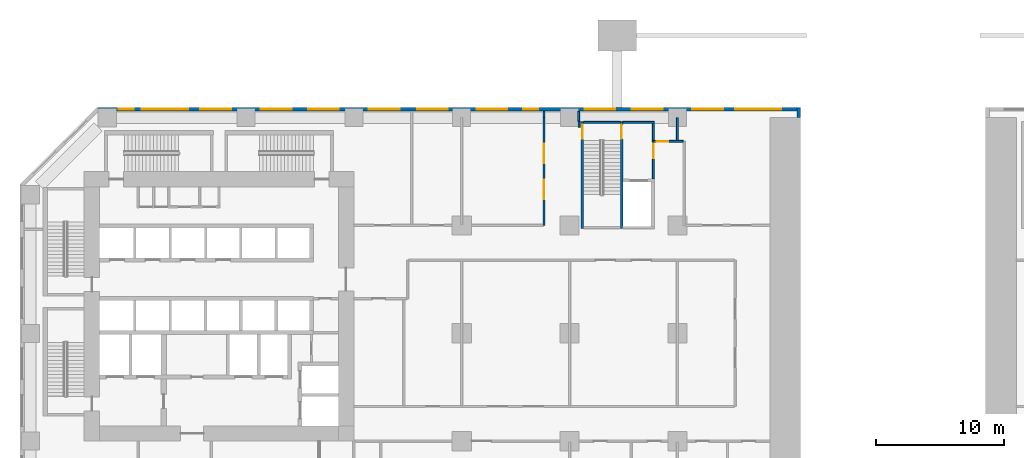
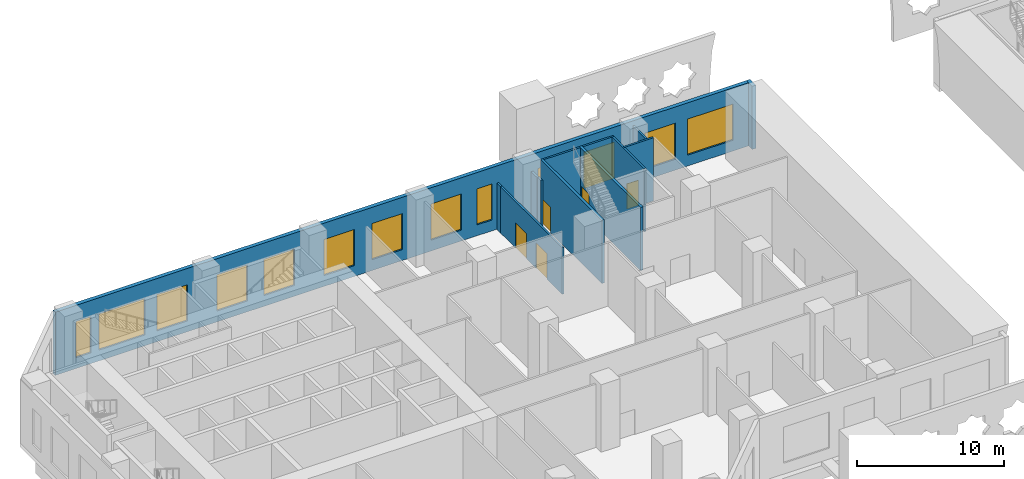
# One storey, part 9 of 17: 13 walls, 13 windows, 6 doors, 19 openings.
"""IFC4 building model written with IfcOpenShell, lengths in metres."""

from ifc_helpers import new_model, si_unit, direction, frame, frame_2d, origin, place, context, subcontext, project, spatial, rectangle, extrude, material, layer, layer_set, type_object, element, fill, save


model = new_model("IFC4")

# Units and contexts
model_context = context("Model", 3, precision=1e-05, world=origin(), true_north=direction((0.0, 1.0)))
body_context = subcontext(model_context, "Body", "Model", "MODEL_VIEW")
ifc_project = project(units=[si_unit("LENGTHUNIT", "METRE"), si_unit("AREAUNIT", "SQUARE_METRE"), si_unit("VOLUMEUNIT", "CUBIC_METRE"), si_unit("PLANEANGLEUNIT", "RADIAN"), si_unit("MASSUNIT", "GRAM", prefix="KILO")], contexts=[model_context])

# Site, building, storey
site_placement = place(None, origin())
site = spatial("IfcSite", under=ifc_project, at=site_placement, CompositionType="ELEMENT")
building_placement = place(site_placement, origin())
building = spatial("IfcBuilding", under=site, at=building_placement, Name="Kawkab Arch Medical Tower", CompositionType="ELEMENT")
storey_placement = place(building_placement, frame((0.0, 0.0, 7.0)))
storey = spatial("IfcBuildingStorey", under=building, at=storey_placement, Name="L02", CompositionType="ELEMENT", Elevation=7.0)

# Wall, opening, door
ifc_material_1 = material(Name="Gypsum board on steel studs", Category="steel")
ifc_layer_1 = layer(ifc_material_1, 0.14990234375)
ifc_layer_set_1 = layer_set([ifc_layer_1], Name="Gypsum board on steel studs")
wall_type_1 = type_object("IfcWallType", Name="Core room partition 150", PredefinedType="PARTITIONING", material=ifc_layer_set_1)
wall_1_placement = place(storey_placement, frame((48.52490234375, -4.77490234375, 0.0), z_axis=(0.0, 0.0, 1.0), x_axis=(0.0, 1.0, 0.0)))
wall_1 = element("IfcWall", 1, at=wall_1_placement, inside=storey, type_object=wall_type_1, Name="L02 core room partition", PredefinedType="PARTITIONING", context=body_context, shape_type="SweptSolid", body=[
    extrude(rectangle(XDim=4.324951171875, YDim=0.14990234375, at=frame_2d((2.16259765625, 0.0))), origin(), (0.0, 0.0, 1.0), 5.25),
])
opening_1_placement = place(wall_1_placement, frame((1.625, 0.0, 0.0)))
opening_1 = element("IfcOpeningElement", 2, at=opening_1_placement, cuts=wall_1, Name="Opening FD", PredefinedType="OPENING", context=body_context, shape_type="SweptSolid", body=[
    extrude(rectangle(XDim=1.10009765625, YDim=2.10009765625, at=frame_2d((0.550048828125, 1.050048828125))), frame((0.0, 0.0849609375, 0.0), z_axis=(0.0, -1.0, 0.0), x_axis=(1.0, 0.0, 0.0)), (0.0, 0.0, 1.0), 0.169921875),
])
ifc_material_2 = material(Name="Hollow metal fire door leaf")
door_type_1 = type_object("IfcDoorType", Name="Firefighting lobby door 1100", OperationType="SINGLE_SWING_LEFT", PredefinedType="DOOR", material=ifc_material_2)
door_1_placement = place(opening_1_placement, origin())
door_1 = element("IfcDoor", 3, at=door_1_placement, inside=storey, type_object=door_type_1, Name="L02 Service lift lobby door SV1", OperationType="SINGLE_SWING_LEFT", OverallHeight=2.10009765625, OverallWidth=1.10009765625, PredefinedType="DOOR", context=body_context, shape_type="SweptSolid", body=[
    extrude(rectangle(XDim=1.10009765625, YDim=2.10009765625, at=frame_2d((0.550048828125, 1.050048828125))), frame((0.0, 0.02490234375, 0.0), z_axis=(0.0, -1.0, 0.0), x_axis=(1.0, 0.0, 0.0)), (0.0, 0.0, 1.0), 0.050048828125),
])
fill(opening_1, door_1)

ifc_material_3 = material(Name="Gypsum board partition on steel studs, mineral wool", Category="steel")
ifc_layer_2 = layer(ifc_material_3, 0.14990234375)
ifc_layer_set_2 = layer_set([ifc_layer_2], Name="Gypsum board partition on steel studs, mineral wool")
wall_type_2 = type_object("IfcWallType", Name="Partition 150", PredefinedType="PARTITIONING", material=ifc_layer_set_2)
wall_2_placement = place(storey_placement, frame((48.550048828125, -1.85009765625, 0.0), z_axis=(0.0, 0.0, 1.0), x_axis=(1.0, 0.0, 0.0)))
wall_2 = element("IfcWall", 4, at=wall_2_placement, inside=storey, type_object=wall_type_2, Name="Partition 150 w039", PredefinedType="PARTITIONING", context=body_context, shape_type="SweptSolid", body=[
    extrude(rectangle(XDim=2.2978515625, YDim=0.14990234375, at=frame_2d((1.14892578125, 0.0))), origin(), (0.0, 0.0, 1.0), 5.25),
])
opening_2_placement = place(wall_2_placement, frame((0.25, 0.0, 0.0)))
opening_2 = element("IfcOpeningElement", 5, at=opening_2_placement, cuts=wall_2, Name="Opening P02-001", PredefinedType="OPENING", context=body_context, shape_type="SweptSolid", body=[
    extrude(rectangle(XDim=0.89990234375, YDim=2.10009765625, at=frame_2d((0.449951171875, 1.050048828125))), frame((0.0, 0.0849609375, 0.0), z_axis=(0.0, -1.0, 0.0), x_axis=(1.0, 0.0, 0.0)), (0.0, 0.0, 1.0), 0.169921875),
])
ifc_material_4 = material(Name="Hollow metal door leaf")
door_type_2 = type_object("IfcDoorType", Name="Double door 900x2100 FD30S", OperationType="NOTDEFINED", PredefinedType="DOOR", material=ifc_material_4)
door_2_placement = place(opening_2_placement, origin())
door_2 = element("IfcDoor", 6, at=door_2_placement, inside=storey, type_object=door_type_2, Name="Door P02-001", OperationType="DOUBLE_DOOR_SINGLE_SWING", OverallHeight=2.10009765625, OverallWidth=0.89990234375, PredefinedType="DOOR", context=body_context, shape_type="SweptSolid", body=[
    extrude(rectangle(XDim=0.89990234375, YDim=2.10009765625, at=frame_2d((0.449951171875, 1.050048828125))), frame((0.0, 0.02490234375, 0.0), z_axis=(0.0, -1.0, 0.0), x_axis=(1.0, 0.0, 0.0)), (0.0, 0.0, 1.0), 0.050048828125),
])
fill(opening_2, door_2)

# Wall, openings, doors
wall_3_placement = place(storey_placement, frame((40.007080078125, -8.39990234375, 0.0), z_axis=(0.0, 0.0, 1.0), x_axis=(0.0, 1.0, 0.0)))
wall_3 = element("IfcWall", 7, at=wall_3_placement, inside=storey, type_object=wall_type_2, Name="Partition 150 w057", PredefinedType="PARTITIONING", context=body_context, shape_type="SweptSolid", body=[
    extrude(rectangle(XDim=8.39990234375, YDim=0.14990234375, at=frame_2d((4.199951171875, 0.0))), origin(), (0.0, 0.0, 1.0), 3.85009765625),
])
opening_3_placement = place(wall_3_placement, frame((2.050048828125, 0.0, 0.0)))
opening_3 = element("IfcOpeningElement", 8, at=opening_3_placement, cuts=wall_3, Name="Opening P02-002", PredefinedType="OPENING", context=body_context, shape_type="SweptSolid", body=[
    extrude(rectangle(XDim=1.5, YDim=2.10009765625, at=frame_2d((0.75, 1.050048828125))), frame((0.0, 0.0849609375, 0.0), z_axis=(0.0, -1.0, 0.0), x_axis=(1.0, 0.0, 0.0)), (0.0, 0.0, 1.0), 0.169921875),
])
opening_4_placement = place(wall_3_placement, frame((4.85009765625, 0.0, 0.0)))
opening_4 = element("IfcOpeningElement", 9, at=opening_4_placement, cuts=wall_3, Name="Opening P02-003", PredefinedType="OPENING", context=body_context, shape_type="SweptSolid", body=[
    extrude(rectangle(XDim=1.5, YDim=2.10009765625, at=frame_2d((0.75, 1.050048828125))), frame((0.0, 0.0849609375, 0.0), z_axis=(0.0, -1.0, 0.0), x_axis=(1.0, 0.0, 0.0)), (0.0, 0.0, 1.0), 0.169921875),
])
ifc_material_5 = material(Name="Hollow metal door leaf")
door_type_3 = type_object("IfcDoorType", Name="Double door 1500x2100 FD30S", OperationType="NOTDEFINED", PredefinedType="DOOR", material=ifc_material_5)
door_3_placement = place(opening_3_placement, origin())
door_3 = element("IfcDoor", 10, at=door_3_placement, inside=storey, type_object=door_type_3, Name="Door P02-002", OperationType="DOUBLE_DOOR_SINGLE_SWING", OverallHeight=2.10009765625, OverallWidth=1.5, PredefinedType="DOOR", context=body_context, shape_type="SweptSolid", body=[
    extrude(rectangle(XDim=1.5, YDim=2.10009765625, at=frame_2d((0.75, 1.050048828125))), frame((0.0, 0.02490234375, 0.0), z_axis=(0.0, -1.0, 0.0), x_axis=(1.0, 0.0, 0.0)), (0.0, 0.0, 1.0), 0.050048828125),
])
fill(opening_3, door_3)
door_4_placement = place(opening_4_placement, origin())
door_4 = element("IfcDoor", 11, at=door_4_placement, inside=storey, type_object=door_type_3, Name="Door P02-003", OperationType="DOUBLE_DOOR_SINGLE_SWING", OverallHeight=2.10009765625, OverallWidth=1.5, PredefinedType="DOOR", context=body_context, shape_type="SweptSolid", body=[
    extrude(rectangle(XDim=1.5, YDim=2.10009765625, at=frame_2d((0.75, 1.050048828125))), frame((0.0, 0.02490234375, 0.0), z_axis=(0.0, -1.0, 0.0), x_axis=(1.0, 0.0, 0.0)), (0.0, 0.0, 1.0), 0.050048828125),
])
fill(opening_4, door_4)

# Walls
wall_4_placement = place(storey_placement, frame((40.007080078125, 0.02001953125, 0.0), z_axis=(0.0, 0.0, 1.0), x_axis=(0.0, 1.0, 0.0)))
element("IfcWall", 12, at=wall_4_placement, inside=storey, type_object=wall_type_2, Name="Partition 150 w058", PredefinedType="PARTITIONING", context=body_context, shape_type="SweptSolid", body=[
    extrude(rectangle(XDim=0.4599609375, YDim=0.14990234375, at=frame_2d((0.22998046875, 0.0))), origin(), (0.0, 0.0, 1.0), 3.85009765625),
])
wall_5_placement = place(storey_placement, frame((42.699951171875, -0.300048828125, 0.0), z_axis=(0.0, 0.0, 1.0), x_axis=(0.0, 1.0, 0.0)))
element("IfcWall", 13, at=wall_5_placement, inside=storey, type_object=wall_type_2, Name="Partition 150 w061", PredefinedType="PARTITIONING", context=body_context, shape_type="SweptSolid", body=[
    extrude(rectangle(XDim=0.780029296875, YDim=0.14990234375, at=frame_2d((0.39013671875, 0.0))), origin(), (0.0, 0.0, 1.0), 3.85009765625),
])
wall_6_placement = place(storey_placement, frame((42.75, -0.75, 0.0), z_axis=(0.0, 0.0, 1.0), x_axis=(0.0, 1.0, 0.0)))
element("IfcWall", 14, at=wall_6_placement, inside=storey, type_object=wall_type_2, Name="Partition 150 w062", PredefinedType="PARTITIONING", context=body_context, shape_type="SweptSolid", body=[
    extrude(rectangle(XDim=0.449951171875, YDim=0.14990234375, at=frame_2d((0.22509765625, 0.0))), origin(), (0.0, 0.0, 1.0), 3.85009765625),
])
wall_7_placement = place(storey_placement, frame((50.39990234375, -1.77490234375, 0.0), z_axis=(0.0, 0.0, 1.0), x_axis=(0.0, 1.0, 0.0)))
element("IfcWall", 15, at=wall_7_placement, inside=storey, type_object=wall_type_2, Name="Partition 150 w066", PredefinedType="PARTITIONING", context=body_context, shape_type="SweptSolid", body=[
    extrude(rectangle(XDim=1.77197265625, YDim=0.14990234375, at=frame_2d((0.885986328125, 0.0))), origin(), (0.0, 0.0, 1.0), 5.25),
])
ifc_material_6 = material(Name="Bronze clad insulated wall panel")
ifc_layer_3 = layer(ifc_material_6, 0.300048828125)
ifc_layer_set_3 = layer_set([ifc_layer_3], Name="Bronze clad insulated wall panel")
wall_type_3 = type_object("IfcWallType", Name="Podium external wall 300", PredefinedType="SOLIDWALL", material=ifc_layer_set_3)
wall_8_placement = place(storey_placement, frame((59.85009765625, 0.0, 0.0), z_axis=(0.0, 0.0, 1.0), x_axis=(0.0, 1.0, 0.0)))
element("IfcWall", 16, at=wall_8_placement, inside=storey, type_object=wall_type_3, Name="Podium slot-side wall L02 R04.2", PredefinedType="SOLIDWALL", context=body_context, shape_type="SweptSolid", body=[
    extrude(rectangle(XDim=0.800048828125, YDim=0.300048828125, at=frame_2d((0.39990234375, 0.0))), origin(), (0.0, 0.0, 1.0), 5.25),
])

# Wall, openings, windows
wall_9_placement = place(storey_placement, frame((59.85009765625, 0.64990234375, 0.0), z_axis=(0.0, 0.0, 1.0), x_axis=(-1.0, 0.0, 0.0)))
wall_9 = element("IfcWall", 17, at=wall_9_placement, inside=storey, type_object=wall_type_3, Name="Podium external wall L02 R05", PredefinedType="SOLIDWALL", context=body_context, shape_type="SweptSolid", body=[
    extrude(rectangle(XDim=54.587890625, YDim=0.300048828125, at=frame_2d((27.2939453125, 0.0))), origin(), (0.0, 0.0, 1.0), 5.25),
])
opening_5_placement = place(wall_9_placement, frame((1.35009765625, 0.0, 0.89990234375)))
opening_5 = element("IfcOpeningElement", 18, at=opening_5_placement, cuts=wall_9, Name="Opening PBW360-30-S9", PredefinedType="OPENING", context=body_context, shape_type="SweptSolid", body=[
    extrude(rectangle(XDim=3.60009765625, YDim=3.0, at=frame_2d((1.800048828125, 1.5))), frame((0.0, 0.159912109375, 0.0), z_axis=(0.0, -1.0, 0.0), x_axis=(1.0, 0.0, 0.0)), (0.0, 0.0, 1.0), 0.320068359375),
])
opening_6_placement = place(wall_9_placement, frame((5.889892578125, 0.0, 0.89990234375)))
opening_6 = element("IfcOpeningElement", 19, at=opening_6_placement, cuts=wall_9, Name="Opening PBW240-30-S9", PredefinedType="OPENING", context=body_context, shape_type="SweptSolid", body=[
    extrude(rectangle(XDim=2.39990234375, YDim=3.0, at=frame_2d((1.199951171875, 1.5))), frame((0.0, 0.159912109375, 0.0), z_axis=(0.0, -1.0, 0.0), x_axis=(1.0, 0.0, 0.0)), (0.0, 0.0, 1.0), 0.320068359375),
])
opening_7_placement = place(wall_9_placement, frame((10.610107421875, 0.0, 0.89990234375)))
opening_7 = element("IfcOpeningElement", 20, at=opening_7_placement, cuts=wall_9, Name="Opening PBW240-30-S9", PredefinedType="OPENING", context=body_context, shape_type="SweptSolid", body=[
    extrude(rectangle(XDim=2.39990234375, YDim=3.0, at=frame_2d((1.199951171875, 1.5))), frame((0.0, 0.159912109375, 0.0), z_axis=(0.0, -1.0, 0.0), x_axis=(1.0, 0.0, 0.0)), (0.0, 0.0, 1.0), 0.320068359375),
])
opening_8_placement = place(wall_9_placement, frame((14.27490234375, 0.0, 0.89990234375)))
opening_8 = element("IfcOpeningElement", 21, at=opening_8_placement, cuts=wall_9, Name="Opening PBW240-30-S9", PredefinedType="OPENING", context=body_context, shape_type="SweptSolid", body=[
    extrude(rectangle(XDim=2.39990234375, YDim=3.0, at=frame_2d((1.199951171875, 1.5))), frame((0.0, 0.159912109375, 0.0), z_axis=(0.0, -1.0, 0.0), x_axis=(1.0, 0.0, 0.0)), (0.0, 0.0, 1.0), 0.320068359375),
])
opening_9_placement = place(wall_9_placement, frame((20.271484375, 0.0, 0.89990234375)))
opening_9 = element("IfcOpeningElement", 22, at=opening_9_placement, cuts=wall_9, Name="Opening PBW120-30-S9", PredefinedType="OPENING", context=body_context, shape_type="SweptSolid", body=[
    extrude(rectangle(XDim=1.199951171875, YDim=3.0, at=frame_2d((0.60009765625, 1.5))), frame((0.0, 0.159912109375, 0.0), z_axis=(0.0, -1.0, 0.0), x_axis=(1.0, 0.0, 0.0)), (0.0, 0.0, 1.0), 0.320068359375),
])
opening_10_placement = place(wall_9_placement, frame((22.68994140625, 0.0, 0.89990234375)))
opening_10 = element("IfcOpeningElement", 23, at=opening_10_placement, cuts=wall_9, Name="Opening PBW240-30-S9", PredefinedType="OPENING", context=body_context, shape_type="SweptSolid", body=[
    extrude(rectangle(XDim=2.39990234375, YDim=3.0, at=frame_2d((1.199951171875, 1.5))), frame((0.0, 0.159912109375, 0.0), z_axis=(0.0, -1.0, 0.0), x_axis=(1.0, 0.0, 0.0)), (0.0, 0.0, 1.0), 0.320068359375),
])
opening_11_placement = place(wall_9_placement, frame((27.324951171875, 0.0, 0.89990234375)))
opening_11 = element("IfcOpeningElement", 24, at=opening_11_placement, cuts=wall_9, Name="Opening PBW240-30-S9", PredefinedType="OPENING", context=body_context, shape_type="SweptSolid", body=[
    extrude(rectangle(XDim=2.39990234375, YDim=3.0, at=frame_2d((1.199951171875, 1.5))), frame((0.0, 0.159912109375, 0.0), z_axis=(0.0, -1.0, 0.0), x_axis=(1.0, 0.0, 0.0)), (0.0, 0.0, 1.0), 0.320068359375),
])
opening_12_placement = place(wall_9_placement, frame((31.090087890625, 0.0, 0.89990234375)))
opening_12 = element("IfcOpeningElement", 25, at=opening_12_placement, cuts=wall_9, Name="Opening PBW240-30-S9", PredefinedType="OPENING", context=body_context, shape_type="SweptSolid", body=[
    extrude(rectangle(XDim=2.39990234375, YDim=3.0, at=frame_2d((1.199951171875, 1.5))), frame((0.0, 0.159912109375, 0.0), z_axis=(0.0, -1.0, 0.0), x_axis=(1.0, 0.0, 0.0)), (0.0, 0.0, 1.0), 0.320068359375),
])
opening_13_placement = place(wall_9_placement, frame((35.81005859375, 0.0, 0.89990234375)))
opening_13 = element("IfcOpeningElement", 26, at=opening_13_placement, cuts=wall_9, Name="Opening PBW240-30-S9", PredefinedType="OPENING", context=body_context, shape_type="SweptSolid", body=[
    extrude(rectangle(XDim=2.39990234375, YDim=3.0, at=frame_2d((1.199951171875, 1.5))), frame((0.0, 0.159912109375, 0.0), z_axis=(0.0, -1.0, 0.0), x_axis=(1.0, 0.0, 0.0)), (0.0, 0.0, 1.0), 0.320068359375),
])
opening_14_placement = place(wall_9_placement, frame((39.489990234375, 0.0, 0.89990234375)))
opening_14 = element("IfcOpeningElement", 27, at=opening_14_placement, cuts=wall_9, Name="Opening PBW240-30-S9", PredefinedType="OPENING", context=body_context, shape_type="SweptSolid", body=[
    extrude(rectangle(XDim=2.39990234375, YDim=3.0, at=frame_2d((1.199951171875, 1.5))), frame((0.0, 0.159912109375, 0.0), z_axis=(0.0, -1.0, 0.0), x_axis=(1.0, 0.0, 0.0)), (0.0, 0.0, 1.0), 0.320068359375),
])
opening_15_placement = place(wall_9_placement, frame((44.2099609375, 0.0, 0.89990234375)))
opening_15 = element("IfcOpeningElement", 28, at=opening_15_placement, cuts=wall_9, Name="Opening PBW240-30-S9", PredefinedType="OPENING", context=body_context, shape_type="SweptSolid", body=[
    extrude(rectangle(XDim=2.39990234375, YDim=3.0, at=frame_2d((1.199951171875, 1.5))), frame((0.0, 0.159912109375, 0.0), z_axis=(0.0, -1.0, 0.0), x_axis=(1.0, 0.0, 0.0)), (0.0, 0.0, 1.0), 0.320068359375),
])
opening_16_placement = place(wall_9_placement, frame((47.550048828125, 0.0, 0.89990234375)))
opening_16 = element("IfcOpeningElement", 29, at=opening_16_placement, cuts=wall_9, Name="Opening PBW360-30-S9", PredefinedType="OPENING", context=body_context, shape_type="SweptSolid", body=[
    extrude(rectangle(XDim=3.60009765625, YDim=3.0, at=frame_2d((1.800048828125, 1.5))), frame((0.0, 0.159912109375, 0.0), z_axis=(0.0, -1.0, 0.0), x_axis=(1.0, 0.0, 0.0)), (0.0, 0.0, 1.0), 0.320068359375),
])
opening_17_placement = place(wall_9_placement, frame((51.777587890625, 0.0, 0.89990234375)))
opening_17 = element("IfcOpeningElement", 30, at=opening_17_placement, cuts=wall_9, Name="Opening PBW120-30-S9", PredefinedType="OPENING", context=body_context, shape_type="SweptSolid", body=[
    extrude(rectangle(XDim=1.199951171875, YDim=3.0, at=frame_2d((0.60009765625, 1.5))), frame((0.0, 0.159912109375, 0.0), z_axis=(0.0, -1.0, 0.0), x_axis=(1.0, 0.0, 0.0)), (0.0, 0.0, 1.0), 0.320068359375),
])
ifc_material_7 = material(Name="Bronze anodised aluminium louvred window", Category="aluminium")
window_type_1 = type_object("IfcWindowType", Name="Podium band window 1200 x 3000 sill 900", PartitioningType="DOUBLE_PANEL_VERTICAL", PredefinedType="WINDOW", material=ifc_material_7)
window_1_placement = place(opening_9_placement, origin())
window_1 = element("IfcWindow", 31, at=window_1_placement, inside=storey, type_object=window_type_1, Name="Band window L02 R05.5", OverallHeight=3.0, OverallWidth=1.199951171875, PartitioningType="SINGLE_PANEL", PredefinedType="WINDOW", context=body_context, shape_type="SweptSolid", body=[
    extrude(rectangle(XDim=1.199951171875, YDim=3.0, at=frame_2d((0.60009765625, 1.5))), frame((0.0, 0.030029296875, 0.0), z_axis=(0.0, -1.0, 0.0), x_axis=(1.0, 0.0, 0.0)), (0.0, 0.0, 1.0), 0.06005859375),
])
fill(opening_9, window_1)
window_2_placement = place(opening_17_placement, origin())
window_2 = element("IfcWindow", 32, at=window_2_placement, inside=storey, type_object=window_type_1, Name="Band window L02 R05.13", OverallHeight=3.0, OverallWidth=1.199951171875, PartitioningType="SINGLE_PANEL", PredefinedType="WINDOW", context=body_context, shape_type="SweptSolid", body=[
    extrude(rectangle(XDim=1.199951171875, YDim=3.0, at=frame_2d((0.60009765625, 1.5))), frame((0.0, 0.030029296875, 0.0), z_axis=(0.0, -1.0, 0.0), x_axis=(1.0, 0.0, 0.0)), (0.0, 0.0, 1.0), 0.06005859375),
])
fill(opening_17, window_2)
ifc_material_8 = material(Name="Bronze anodised aluminium louvred window", Category="aluminium")
window_type_2 = type_object("IfcWindowType", Name="Podium band window 2400 x 3000 sill 900", PartitioningType="DOUBLE_PANEL_VERTICAL", PredefinedType="WINDOW", material=ifc_material_8)
window_3_placement = place(opening_6_placement, origin())
window_3 = element("IfcWindow", 33, at=window_3_placement, inside=storey, type_object=window_type_2, Name="Band window L02 R05.2", OverallHeight=3.0, OverallWidth=2.39990234375, PartitioningType="SINGLE_PANEL", PredefinedType="WINDOW", context=body_context, shape_type="SweptSolid", body=[
    extrude(rectangle(XDim=2.39990234375, YDim=3.0, at=frame_2d((1.199951171875, 1.5))), frame((0.0, 0.030029296875, 0.0), z_axis=(0.0, -1.0, 0.0), x_axis=(1.0, 0.0, 0.0)), (0.0, 0.0, 1.0), 0.06005859375),
])
fill(opening_6, window_3)
window_4_placement = place(opening_7_placement, origin())
window_4 = element("IfcWindow", 34, at=window_4_placement, inside=storey, type_object=window_type_2, Name="Band window L02 R05.3", OverallHeight=3.0, OverallWidth=2.39990234375, PartitioningType="SINGLE_PANEL", PredefinedType="WINDOW", context=body_context, shape_type="SweptSolid", body=[
    extrude(rectangle(XDim=2.39990234375, YDim=3.0, at=frame_2d((1.199951171875, 1.5))), frame((0.0, 0.030029296875, 0.0), z_axis=(0.0, -1.0, 0.0), x_axis=(1.0, 0.0, 0.0)), (0.0, 0.0, 1.0), 0.06005859375),
])
fill(opening_7, window_4)
window_5_placement = place(opening_8_placement, origin())
window_5 = element("IfcWindow", 35, at=window_5_placement, inside=storey, type_object=window_type_2, Name="Band window L02 R05.4", OverallHeight=3.0, OverallWidth=2.39990234375, PartitioningType="SINGLE_PANEL", PredefinedType="WINDOW", context=body_context, shape_type="SweptSolid", body=[
    extrude(rectangle(XDim=2.39990234375, YDim=3.0, at=frame_2d((1.199951171875, 1.5))), frame((0.0, 0.030029296875, 0.0), z_axis=(0.0, -1.0, 0.0), x_axis=(1.0, 0.0, 0.0)), (0.0, 0.0, 1.0), 0.06005859375),
])
fill(opening_8, window_5)
window_6_placement = place(opening_10_placement, origin())
window_6 = element("IfcWindow", 36, at=window_6_placement, inside=storey, type_object=window_type_2, Name="Band window L02 R05.6", OverallHeight=3.0, OverallWidth=2.39990234375, PartitioningType="SINGLE_PANEL", PredefinedType="WINDOW", context=body_context, shape_type="SweptSolid", body=[
    extrude(rectangle(XDim=2.39990234375, YDim=3.0, at=frame_2d((1.199951171875, 1.5))), frame((0.0, 0.030029296875, 0.0), z_axis=(0.0, -1.0, 0.0), x_axis=(1.0, 0.0, 0.0)), (0.0, 0.0, 1.0), 0.06005859375),
])
fill(opening_10, window_6)
window_7_placement = place(opening_11_placement, origin())
window_7 = element("IfcWindow", 37, at=window_7_placement, inside=storey, type_object=window_type_2, Name="Band window L02 R05.7", OverallHeight=3.0, OverallWidth=2.39990234375, PartitioningType="SINGLE_PANEL", PredefinedType="WINDOW", context=body_context, shape_type="SweptSolid", body=[
    extrude(rectangle(XDim=2.39990234375, YDim=3.0, at=frame_2d((1.199951171875, 1.5))), frame((0.0, 0.030029296875, 0.0), z_axis=(0.0, -1.0, 0.0), x_axis=(1.0, 0.0, 0.0)), (0.0, 0.0, 1.0), 0.06005859375),
])
fill(opening_11, window_7)
window_8_placement = place(opening_12_placement, origin())
window_8 = element("IfcWindow", 38, at=window_8_placement, inside=storey, type_object=window_type_2, Name="Band window L02 R05.8", OverallHeight=3.0, OverallWidth=2.39990234375, PartitioningType="SINGLE_PANEL", PredefinedType="WINDOW", context=body_context, shape_type="SweptSolid", body=[
    extrude(rectangle(XDim=2.39990234375, YDim=3.0, at=frame_2d((1.199951171875, 1.5))), frame((0.0, 0.030029296875, 0.0), z_axis=(0.0, -1.0, 0.0), x_axis=(1.0, 0.0, 0.0)), (0.0, 0.0, 1.0), 0.06005859375),
])
fill(opening_12, window_8)
window_9_placement = place(opening_13_placement, origin())
window_9 = element("IfcWindow", 39, at=window_9_placement, inside=storey, type_object=window_type_2, Name="Band window L02 R05.9", OverallHeight=3.0, OverallWidth=2.39990234375, PartitioningType="SINGLE_PANEL", PredefinedType="WINDOW", context=body_context, shape_type="SweptSolid", body=[
    extrude(rectangle(XDim=2.39990234375, YDim=3.0, at=frame_2d((1.199951171875, 1.5))), frame((0.0, 0.030029296875, 0.0), z_axis=(0.0, -1.0, 0.0), x_axis=(1.0, 0.0, 0.0)), (0.0, 0.0, 1.0), 0.06005859375),
])
fill(opening_13, window_9)
window_10_placement = place(opening_14_placement, origin())
window_10 = element("IfcWindow", 40, at=window_10_placement, inside=storey, type_object=window_type_2, Name="Band window L02 R05.10", OverallHeight=3.0, OverallWidth=2.39990234375, PartitioningType="SINGLE_PANEL", PredefinedType="WINDOW", context=body_context, shape_type="SweptSolid", body=[
    extrude(rectangle(XDim=2.39990234375, YDim=3.0, at=frame_2d((1.199951171875, 1.5))), frame((0.0, 0.030029296875, 0.0), z_axis=(0.0, -1.0, 0.0), x_axis=(1.0, 0.0, 0.0)), (0.0, 0.0, 1.0), 0.06005859375),
])
fill(opening_14, window_10)
window_11_placement = place(opening_15_placement, origin())
window_11 = element("IfcWindow", 41, at=window_11_placement, inside=storey, type_object=window_type_2, Name="Band window L02 R05.11", OverallHeight=3.0, OverallWidth=2.39990234375, PartitioningType="SINGLE_PANEL", PredefinedType="WINDOW", context=body_context, shape_type="SweptSolid", body=[
    extrude(rectangle(XDim=2.39990234375, YDim=3.0, at=frame_2d((1.199951171875, 1.5))), frame((0.0, 0.030029296875, 0.0), z_axis=(0.0, -1.0, 0.0), x_axis=(1.0, 0.0, 0.0)), (0.0, 0.0, 1.0), 0.06005859375),
])
fill(opening_15, window_11)
ifc_material_9 = material(Name="Bronze anodised aluminium louvred window", Category="aluminium")
window_type_3 = type_object("IfcWindowType", Name="Podium band window 3600 x 3000 sill 900", PartitioningType="DOUBLE_PANEL_VERTICAL", PredefinedType="WINDOW", material=ifc_material_9)
window_12_placement = place(opening_5_placement, origin())
window_12 = element("IfcWindow", 42, at=window_12_placement, inside=storey, type_object=window_type_3, Name="Band window L02 R05.1", OverallHeight=3.0, OverallWidth=3.60009765625, PartitioningType="SINGLE_PANEL", PredefinedType="WINDOW", context=body_context, shape_type="SweptSolid", body=[
    extrude(rectangle(XDim=3.60009765625, YDim=3.0, at=frame_2d((1.800048828125, 1.5))), frame((0.0, 0.030029296875, 0.0), z_axis=(0.0, -1.0, 0.0), x_axis=(1.0, 0.0, 0.0)), (0.0, 0.0, 1.0), 0.06005859375),
])
fill(opening_5, window_12)
window_13_placement = place(opening_16_placement, origin())
window_13 = element("IfcWindow", 43, at=window_13_placement, inside=storey, type_object=window_type_3, Name="Band window L02 R05.12", OverallHeight=3.0, OverallWidth=3.60009765625, PartitioningType="SINGLE_PANEL", PredefinedType="WINDOW", context=body_context, shape_type="SweptSolid", body=[
    extrude(rectangle(XDim=3.60009765625, YDim=3.0, at=frame_2d((1.800048828125, 1.5))), frame((0.0, 0.030029296875, 0.0), z_axis=(0.0, -1.0, 0.0), x_axis=(1.0, 0.0, 0.0)), (0.0, 0.0, 1.0), 0.06005859375),
])
fill(opening_16, window_13)

# Walls
ifc_material_10 = material(Name="Concrete C50/60", Category="concrete")
ifc_layer_4 = layer(ifc_material_10, 0.14990234375)
ifc_layer_set_4 = layer_set([ifc_layer_4], Name="Concrete C50/60")
wall_type_4 = type_object("IfcWallType", Name="Stair enclosure wall 150 C50/60", PredefinedType="SHEAR", material=ifc_layer_set_4)
wall_10_placement = place(storey_placement, frame((43.10009765625, -0.375, 0.0), z_axis=(0.0, 0.0, 1.0), x_axis=(1.0, 0.0, 0.0)))
element("IfcWall", 44, at=wall_10_placement, inside=storey, type_object=wall_type_4, Name="L02 stair enclosure wall", PredefinedType="SHEAR", context=body_context, shape_type="SweptSolid", body=[
    extrude(rectangle(XDim=2.849853515625, YDim=0.14990234375, at=frame_2d((1.4248046875, 0.0))), origin(), (0.0, 0.0, 1.0), 5.25),
])
wall_11_placement = place(storey_placement, frame((46.14990234375, -0.375, 0.0), z_axis=(0.0, 0.0, 1.0), x_axis=(1.0, 0.0, 0.0)))
element("IfcWall", 45, at=wall_11_placement, inside=storey, type_object=wall_type_4, Name="L02 stair enclosure wall", PredefinedType="SHEAR", context=body_context, shape_type="SweptSolid", body=[
    extrude(rectangle(XDim=2.4501953125, YDim=0.14990234375, at=frame_2d((1.22509765625, 0.0))), origin(), (0.0, 0.0, 1.0), 5.25),
])

# Wall, opening, door
ifc_material_11 = material(Name="Concrete C50/60", Category="concrete")
ifc_layer_5 = layer(ifc_material_11, 0.199951171875)
ifc_layer_set_5 = layer_set([ifc_layer_5], Name="Concrete C50/60")
wall_type_5 = type_object("IfcWallType", Name="Stair enclosure wall 200 C50/60", PredefinedType="SHEAR", material=ifc_layer_set_5)
wall_12_placement = place(storey_placement, frame((43.0, -8.64990234375, 0.0), z_axis=(0.0, 0.0, 1.0), x_axis=(0.0, 1.0, 0.0)))
wall_12 = element("IfcWall", 46, at=wall_12_placement, inside=storey, type_object=wall_type_5, Name="L02 stair enclosure wall", PredefinedType="SHEAR", context=body_context, shape_type="SweptSolid", body=[
    extrude(rectangle(XDim=8.349853515625, YDim=0.199951171875, at=frame_2d((4.1748046875, 0.0))), origin(), (0.0, 0.0, 1.0), 5.25),
])
opening_18_placement = place(wall_12_placement, frame((7.0, 0.0, 0.0)))
opening_18 = element("IfcOpeningElement", 47, at=opening_18_placement, cuts=wall_12, Name="Opening SD", PredefinedType="OPENING", context=body_context, shape_type="SweptSolid", body=[
    extrude(rectangle(XDim=1.10009765625, YDim=2.10009765625, at=frame_2d((0.550048828125, 1.050048828125))), frame((0.0, 0.10986328125, 0.0), z_axis=(0.0, -1.0, 0.0), x_axis=(1.0, 0.0, 0.0)), (0.0, 0.0, 1.0), 0.219970703125),
])
ifc_material_12 = material(Name="Hollow metal fire door leaf")
door_type_4 = type_object("IfcDoorType", Name="Exit stair door 1100", OperationType="SINGLE_SWING_LEFT", PredefinedType="DOOR", material=ifc_material_12)
door_5_placement = place(opening_18_placement, frame((1.10009765625, 0.0, 0.0), z_axis=(0.0, 0.0, 1.0), x_axis=(-1.0, 0.0, 0.0)))
door_5 = element("IfcDoor", 48, at=door_5_placement, inside=storey, type_object=door_type_4, Name="L02 Exit stair ST5 door", OperationType="SINGLE_SWING_LEFT", OverallHeight=2.10009765625, OverallWidth=1.10009765625, PredefinedType="DOOR", context=body_context, shape_type="SweptSolid", body=[
    extrude(rectangle(XDim=1.10009765625, YDim=2.10009765625, at=frame_2d((0.550048828125, 1.050048828125))), frame((0.0, 0.02490234375, 0.0), z_axis=(0.0, -1.0, 0.0), x_axis=(1.0, 0.0, 0.0)), (0.0, 0.0, 1.0), 0.050048828125),
])
fill(opening_18, door_5)

wall_13_placement = place(storey_placement, frame((46.050048828125, -8.64990234375, 0.0), z_axis=(0.0, 0.0, 1.0), x_axis=(0.0, 1.0, 0.0)))
wall_13 = element("IfcWall", 49, at=wall_13_placement, inside=storey, type_object=wall_type_5, Name="L02 stair enclosure wall", PredefinedType="SHEAR", context=body_context, shape_type="SweptSolid", body=[
    extrude(rectangle(XDim=8.349853515625, YDim=0.199951171875, at=frame_2d((4.1748046875, 0.0))), origin(), (0.0, 0.0, 1.0), 5.25),
])
opening_19_placement = place(wall_13_placement, frame((7.0, 0.0, 0.0)))
opening_19 = element("IfcOpeningElement", 50, at=opening_19_placement, cuts=wall_13, Name="Opening SD", PredefinedType="OPENING", context=body_context, shape_type="SweptSolid", body=[
    extrude(rectangle(XDim=1.10009765625, YDim=2.10009765625, at=frame_2d((0.550048828125, 1.050048828125))), frame((0.0, 0.10986328125, 0.0), z_axis=(0.0, -1.0, 0.0), x_axis=(1.0, 0.0, 0.0)), (0.0, 0.0, 1.0), 0.219970703125),
])
door_6_placement = place(opening_19_placement, origin())
door_6 = element("IfcDoor", 51, at=door_6_placement, inside=storey, type_object=door_type_4, Name="L02 Exit stair ST5 lobby door", OperationType="SINGLE_SWING_LEFT", OverallHeight=2.10009765625, OverallWidth=1.10009765625, PredefinedType="DOOR", context=body_context, shape_type="SweptSolid", body=[
    extrude(rectangle(XDim=1.10009765625, YDim=2.10009765625, at=frame_2d((0.550048828125, 1.050048828125))), frame((0.0, 0.02490234375, 0.0), z_axis=(0.0, -1.0, 0.0), x_axis=(1.0, 0.0, 0.0)), (0.0, 0.0, 1.0), 0.050048828125),
])
fill(opening_19, door_6)

save(model, "model.ifc")
